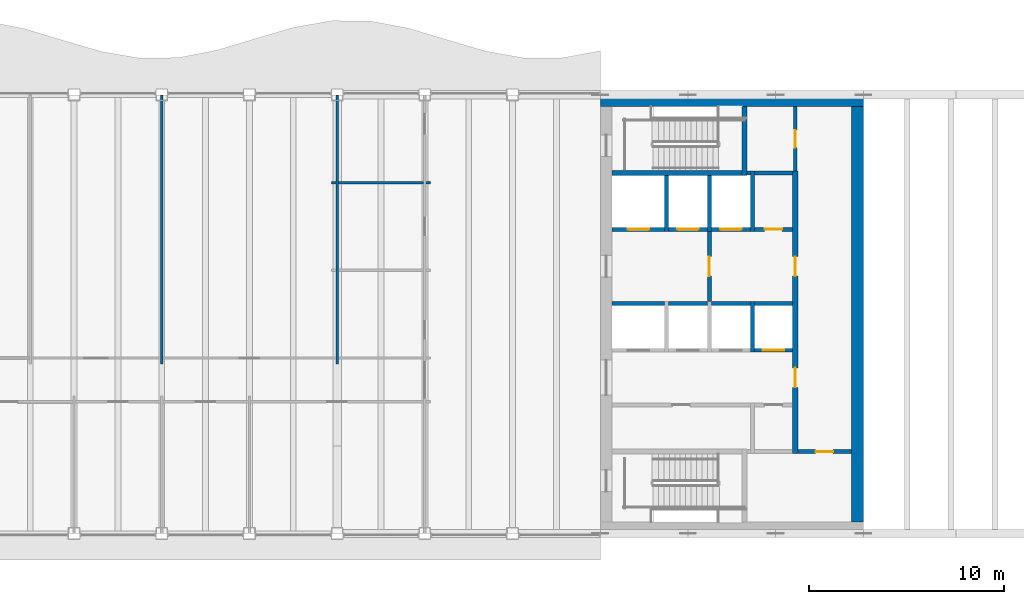
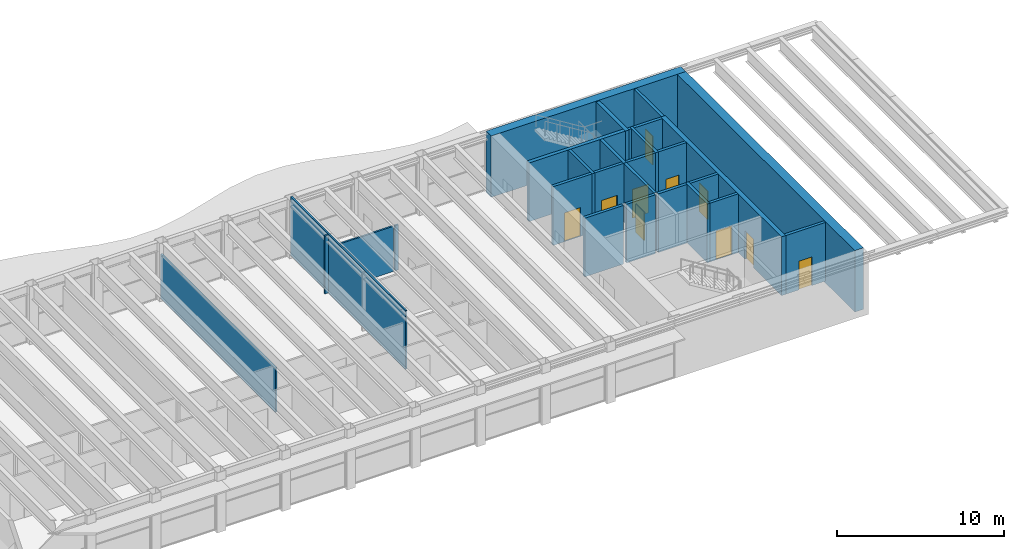
# One storey, part 11 of 15: 28 walls, 10 doors, 10 openings.
"""IFC4 building model written with IfcOpenShell, lengths in metres."""

from ifc_helpers import new_model, si_unit, direction, frame, frame_2d, origin, place, context, subcontext, project, spatial, rectangle, extrude, material, layer, layer_set, type_object, element, fill, save


model = new_model("IFC4")

# Units and contexts
model_context = context("Model", 3, precision=1e-05, world=origin(), true_north=direction((0.0, 1.0)))
body_context = subcontext(model_context, "Body", "Model", "MODEL_VIEW")
ifc_project = project(units=[si_unit("LENGTHUNIT", "METRE"), si_unit("AREAUNIT", "SQUARE_METRE"), si_unit("VOLUMEUNIT", "CUBIC_METRE"), si_unit("PLANEANGLEUNIT", "RADIAN"), si_unit("MASSUNIT", "GRAM", prefix="KILO")], contexts=[model_context])

# Site, building, storey
site_placement = place(None, origin())
site = spatial("IfcSite", under=ifc_project, at=site_placement, CompositionType="ELEMENT")
building_placement = place(site_placement, origin())
building = spatial("IfcBuilding", under=site, at=building_placement, Name="Sennacour Bend Tower", CompositionType="ELEMENT")
storey_placement = place(building_placement, frame((0.0, 0.0, 341.0)))
storey = spatial("IfcBuildingStorey", under=building, at=storey_placement, Name="L78", CompositionType="ELEMENT", Elevation=341.0)

# Walls
ifc_material_1 = material(Name="Concrete C50/60", Category="concrete")
ifc_layer_1 = layer(ifc_material_1, 0.60009765625, Name="Concrete C50/60", Category="concrete")
ifc_layer_set_1 = layer_set([ifc_layer_1], Name="Concrete C50/60")
wall_type_1 = type_object("IfcWallType", Name="Core wall 600 C50/60", PredefinedType="SHEAR", material=ifc_layer_set_1)
wall_1_placement = place(storey_placement, frame((54.0, 22.199951171875, -0.14990234375), z_axis=(0.0, 0.0, 1.0), x_axis=(1.0, 0.0, 0.0)))
element("IfcWall", 1, at=wall_1_placement, inside=storey, type_object=wall_type_1, Name="Core A wall L78 N", PredefinedType="SHEAR", context=body_context, shape_type="SweptSolid", body=[
    extrude(rectangle(XDim=13.5, YDim=0.60009765625, at=frame_2d((6.75, 0.0))), origin(), (0.0, 0.0, 1.0), 4.5),
])
wall_2_placement = place(storey_placement, frame((67.199951171875, 0.60009765625, -0.14990234375), z_axis=(0.0, 0.0, 1.0), x_axis=(0.0, 1.0, 0.0)))
element("IfcWall", 2, at=wall_2_placement, inside=storey, type_object=wall_type_1, Name="Core A wall L78 E", PredefinedType="SHEAR", context=body_context, shape_type="SweptSolid", body=[
    extrude(rectangle(XDim=21.2998046875, YDim=0.60009765625, at=frame_2d((10.64990234375, 0.0))), origin(), (0.0, 0.0, 1.0), 4.5),
])
ifc_material_2 = material(Name="Plasterboard partition on steel studs", Category="steel")
ifc_layer_2 = layer(ifc_material_2, 0.1201171875, Name="Plasterboard partition on steel studs", Category="steel")
ifc_layer_set_2 = layer_set([ifc_layer_2], Name="Plasterboard partition on steel studs")
wall_type_2 = type_object("IfcWallType", Name="Partition 120", PredefinedType="PARTITIONING", material=ifc_layer_set_2)
wall_3_placement = place(storey_placement, frame((31.5, 8.699951171875, 0.0), z_axis=(0.0, 0.0, 1.0), x_axis=(0.0, 1.0, 0.0)))
element("IfcWall", 3, at=wall_3_placement, inside=storey, type_object=wall_type_2, Name="P-L78-W013a", PredefinedType="PARTITIONING", context=body_context, shape_type="SweptSolid", body=[
    extrude(rectangle(XDim=13.7900390625, YDim=0.1201171875, at=frame_2d((6.89501953125, 0.0))), origin(), (0.0, 0.0, 1.0), 3.2587890625),
])
wall_4_placement = place(storey_placement, frame((40.5, 8.699951171875, 0.0), z_axis=(0.0, 0.0, 1.0), x_axis=(0.0, 1.0, 0.0)))
element("IfcWall", 4, at=wall_4_placement, inside=storey, type_object=wall_type_2, Name="P-L78-W015a", PredefinedType="PARTITIONING", context=body_context, shape_type="SweptSolid", body=[
    extrude(rectangle(XDim=13.7900390625, YDim=0.1201171875, at=frame_2d((6.89501953125, 0.0))), origin(), (0.0, 0.0, 1.0), 4.300048828125),
])
wall_5_placement = place(storey_placement, frame((40.199951171875, 18.0, 0.0), z_axis=(0.0, 0.0, 1.0), x_axis=(1.0, 0.0, 0.0)))
element("IfcWall", 5, at=wall_5_placement, inside=storey, type_object=wall_type_2, Name="P-L78-W043aa", PredefinedType="PARTITIONING", context=body_context, shape_type="SweptSolid", body=[
    extrude(rectangle(XDim=0.239990234375, YDim=0.1201171875, at=frame_2d((0.1201171875, 0.0))), origin(), (0.0, 0.0, 1.0), 4.25),
])
wall_6_placement = place(storey_placement, frame((40.56005859375, 18.0, 0.0), z_axis=(0.0, 0.0, 1.0), x_axis=(1.0, 0.0, 0.0)))
element("IfcWall", 6, at=wall_6_placement, inside=storey, type_object=wall_type_2, Name="P-L78-W043ab", PredefinedType="PARTITIONING", context=body_context, shape_type="SweptSolid", body=[
    extrude(rectangle(XDim=4.3798828125, YDim=0.1201171875, at=frame_2d((2.18994140625, 0.0))), origin(), (0.0, 0.0, 1.0), 3.308837890625),
])
wall_7_placement = place(storey_placement, frame((45.06005859375, 18.0, 0.0), z_axis=(0.0, 0.0, 1.0), x_axis=(1.0, 0.0, 0.0)))
element("IfcWall", 7, at=wall_7_placement, inside=storey, type_object=wall_type_2, Name="P-L78-W043ac", PredefinedType="PARTITIONING", context=body_context, shape_type="SweptSolid", body=[
    extrude(rectangle(XDim=0.239990234375, YDim=0.1201171875, at=frame_2d((0.1201171875, 0.0))), origin(), (0.0, 0.0, 1.0), 3.308837890625),
])

# Wall, opening, door
ifc_material_3 = material(Name="Fire-rated plasterboard partition on steel studs", Category="steel")
ifc_layer_3 = layer(ifc_material_3, 0.199951171875, Name="Fire-rated plasterboard partition on steel studs", Category="steel")
ifc_layer_set_3 = layer_set([ifc_layer_3], Name="Fire-rated plasterboard partition on steel studs")
wall_type_3 = type_object("IfcWallType", Name="Rated partition 200", PredefinedType="PARTITIONING", material=ifc_layer_set_3)
wall_8_placement = place(storey_placement, frame((64.0, 18.60009765625, 0.0), z_axis=(0.0, 0.0, 1.0), x_axis=(0.0, 1.0, 0.0)))
wall_8 = element("IfcWall", 8, at=wall_8_placement, inside=storey, type_object=wall_type_3, Name="P-L78-W028", PredefinedType="PARTITIONING", context=body_context, shape_type="SweptSolid", body=[
    extrude(rectangle(XDim=3.2998046875, YDim=0.199951171875, at=frame_2d((1.64990234375, 0.0))), origin(), (0.0, 0.0, 1.0), 4.300048828125),
])
opening_1_placement = place(wall_8_placement, frame((1.199951171875, 0.0, 0.0)))
opening_1 = element("IfcOpeningElement", 9, at=opening_1_placement, cuts=wall_8, Name="Opening SV", PredefinedType="OPENING", context=body_context, shape_type="SweptSolid", body=[
    extrude(rectangle(XDim=0.89990234375, YDim=2.10009765625, at=frame_2d((0.449951171875, 1.050048828125))), frame((0.0, 0.10986328125, 0.0), z_axis=(0.0, -1.0, 0.0), x_axis=(1.0, 0.0, 0.0)), (0.0, 0.0, 1.0), 0.219970703125),
])
ifc_material_4 = material(Name="Painted steel", Category="steel")
door_type_1 = type_object("IfcDoorType", Name="DR-SERVICE-900", OperationType="NOTDEFINED", PredefinedType="DOOR", material=ifc_material_4)
door_1_placement = place(opening_1_placement, origin())
door_1 = element("IfcDoor", 10, at=door_1_placement, inside=storey, type_object=door_type_1, Name="Door", OperationType="SINGLE_SWING_LEFT", OverallHeight=2.10009765625, OverallWidth=0.89990234375, PredefinedType="DOOR", context=body_context, shape_type="SweptSolid", body=[
    extrude(rectangle(XDim=0.89990234375, YDim=2.10009765625, at=frame_2d((0.449951171875, 1.050048828125))), frame((0.0, 0.02490234375, 0.0), z_axis=(0.0, -1.0, 0.0), x_axis=(1.0, 0.0, 0.0)), (0.0, 0.0, 1.0), 0.050048828125),
])
fill(opening_1, door_1)

wall_9_placement = place(storey_placement, frame((64.14990234375, 4.199951171875, 0.0), z_axis=(0.0, 0.0, 1.0), x_axis=(1.0, 0.0, 0.0)))
wall_9 = element("IfcWall", 11, at=wall_9_placement, inside=storey, type_object=wall_type_3, Name="P-L78-W034c", PredefinedType="PARTITIONING", context=body_context, shape_type="SweptSolid", body=[
    extrude(rectangle(XDim=2.75, YDim=0.199951171875, at=frame_2d((1.375, 0.0))), origin(), (0.0, 0.0, 1.0), 4.300048828125),
])
opening_2_placement = place(wall_9_placement, frame((0.900146484375, 0.0, 0.0)))
opening_2 = element("IfcOpeningElement", 12, at=opening_2_placement, cuts=wall_9, Name="Opening SV", PredefinedType="OPENING", context=body_context, shape_type="SweptSolid", body=[
    extrude(rectangle(XDim=0.89990234375, YDim=2.10009765625, at=frame_2d((0.449951171875, 1.050048828125))), frame((0.0, 0.10986328125, 0.0), z_axis=(0.0, -1.0, 0.0), x_axis=(1.0, 0.0, 0.0)), (0.0, 0.0, 1.0), 0.219970703125),
])
door_2_placement = place(opening_2_placement, origin())
door_2 = element("IfcDoor", 13, at=door_2_placement, inside=storey, type_object=door_type_1, Name="Door", OperationType="SINGLE_SWING_LEFT", OverallHeight=2.10009765625, OverallWidth=0.89990234375, PredefinedType="DOOR", context=body_context, shape_type="SweptSolid", body=[
    extrude(rectangle(XDim=0.89990234375, YDim=2.10009765625, at=frame_2d((0.449951171875, 1.050048828125))), frame((0.0, 0.02490234375, 0.0), z_axis=(0.0, -1.0, 0.0), x_axis=(1.0, 0.0, 0.0)), (0.0, 0.0, 1.0), 0.050048828125),
])
fill(opening_2, door_2)

wall_10_placement = place(storey_placement, frame((61.89990234375, 15.60009765625, 0.0), z_axis=(0.0, 0.0, 1.0), x_axis=(1.0, 0.0, 0.0)))
wall_10 = element("IfcWall", 14, at=wall_10_placement, inside=storey, type_object=wall_type_3, Name="P-L78-W042", PredefinedType="PARTITIONING", context=body_context, shape_type="SweptSolid", body=[
    extrude(rectangle(XDim=1.9501953125, YDim=0.199951171875, at=frame_2d((0.97509765625, 0.0))), origin(), (0.0, 0.0, 1.0), 4.300048828125),
])
opening_3_placement = place(wall_10_placement, frame((0.525146484375, 0.0, 0.0)))
opening_3 = element("IfcOpeningElement", 15, at=opening_3_placement, cuts=wall_10, Name="Opening SV", PredefinedType="OPENING", context=body_context, shape_type="SweptSolid", body=[
    extrude(rectangle(XDim=0.89990234375, YDim=2.10009765625, at=frame_2d((0.449951171875, 1.050048828125))), frame((0.0, 0.10986328125, 0.0), z_axis=(0.0, -1.0, 0.0), x_axis=(1.0, 0.0, 0.0)), (0.0, 0.0, 1.0), 0.219970703125),
])
door_3_placement = place(opening_3_placement, origin())
door_3 = element("IfcDoor", 16, at=door_3_placement, inside=storey, type_object=door_type_1, Name="Door", OperationType="SINGLE_SWING_LEFT", OverallHeight=2.10009765625, OverallWidth=0.89990234375, PredefinedType="DOOR", context=body_context, shape_type="SweptSolid", body=[
    extrude(rectangle(XDim=0.89990234375, YDim=2.10009765625, at=frame_2d((0.449951171875, 1.050048828125))), frame((0.0, 0.02490234375, 0.0), z_axis=(0.0, -1.0, 0.0), x_axis=(1.0, 0.0, 0.0)), (0.0, 0.0, 1.0), 0.050048828125),
])
fill(opening_3, door_3)

# Wall
wall_11_placement = place(storey_placement, frame((61.89990234375, 18.5, 0.0), z_axis=(0.0, 0.0, 1.0), x_axis=(1.0, 0.0, 0.0)))
element("IfcWall", 17, at=wall_11_placement, inside=storey, type_object=wall_type_3, Name="P-L78-W046", PredefinedType="PARTITIONING", context=body_context, shape_type="SweptSolid", body=[
    extrude(rectangle(XDim=1.9501953125, YDim=0.199951171875, at=frame_2d((0.97509765625, 0.0))), origin(), (0.0, 0.0, 1.0), 4.300048828125),
])

# Wall, opening, door
ifc_layer_4 = layer(ifc_material_3, 0.199951171875, Name="Fire-rated plasterboard partition on steel studs", Category="steel")
ifc_layer_set_4 = layer_set([ifc_layer_4], Name="Fire-rated plasterboard partition on steel studs")
wall_type_4 = type_object("IfcWallType", Name="Rated partition 200 EI 90", PredefinedType="PARTITIONING", material=ifc_layer_set_4)
wall_12_placement = place(storey_placement, frame((59.60009765625, 11.89990234375, 0.0), z_axis=(0.0, 0.0, 1.0), x_axis=(0.0, 1.0, 0.0)))
wall_12 = element("IfcWall", 18, at=wall_12_placement, inside=storey, type_object=wall_type_4, Name="P-L78-W020", PredefinedType="PARTITIONING", context=body_context, shape_type="SweptSolid", body=[
    extrude(rectangle(XDim=3.60009765625, YDim=0.199951171875, at=frame_2d((1.800048828125, 0.0))), origin(), (0.0, 0.0, 1.0), 4.300048828125),
])
opening_4_placement = place(wall_12_placement, frame((1.300048828125, 0.0, 0.0)))
opening_4 = element("IfcOpeningElement", 19, at=opening_4_placement, cuts=wall_12, Name="Opening FD2", PredefinedType="OPENING", context=body_context, shape_type="SweptSolid", body=[
    extrude(rectangle(XDim=1.0, YDim=2.10009765625, at=frame_2d((0.5, 1.050048828125))), frame((0.0, 0.10986328125, 0.0), z_axis=(0.0, -1.0, 0.0), x_axis=(1.0, 0.0, 0.0)), (0.0, 0.0, 1.0), 0.219970703125),
])
door_type_2 = type_object("IfcDoorType", Name="DR-FFL-1000", OperationType="NOTDEFINED", PredefinedType="DOOR", material=ifc_material_4)
door_4_placement = place(opening_4_placement, origin())
door_4 = element("IfcDoor", 20, at=door_4_placement, inside=storey, type_object=door_type_2, Name="Door", OperationType="SINGLE_SWING_LEFT", OverallHeight=2.10009765625, OverallWidth=1.0, PredefinedType="DOOR", context=body_context, shape_type="SweptSolid", body=[
    extrude(rectangle(XDim=1.0, YDim=2.10009765625, at=frame_2d((0.5, 1.050048828125))), frame((0.0, 0.02490234375, 0.0), z_axis=(0.0, -1.0, 0.0), x_axis=(1.0, 0.0, 0.0)), (0.0, 0.0, 1.0), 0.050048828125),
])
fill(opening_4, door_4)

# Walls
ifc_layer_5 = layer(ifc_material_1, 0.199951171875, Name="Concrete C50/60", Category="concrete")
ifc_layer_set_5 = layer_set([ifc_layer_5], Name="Concrete C50/60")
wall_type_5 = type_object("IfcWallType", Name="Shaft wall 200", PredefinedType="SOLIDWALL", material=ifc_layer_set_5)
for number, where, z_axis, x_axis, name in (
    (21, (57.39990234375, 15.5, 0.0), (0.0, 0.0, 1.0), (0.0, 1.0, 0.0), "P-L78-W018"),
    (22, (59.60009765625, 15.5, 0.0), (0.0, 0.0, 1.0), (0.0, 1.0, 0.0), "P-L78-W021"),
):
    element("IfcWall", number, at=place(storey_placement, frame(where, z_axis=z_axis, x_axis=x_axis)), inside=storey, type_object=wall_type_5, Name=name, PredefinedType="SOLIDWALL", context=body_context, shape_type="SweptSolid", body=[
        extrude(rectangle(XDim=2.875, YDim=0.199951171875, at=frame_2d((1.4375, 0.0))), origin(), (0.0, 0.0, 1.0), 4.300048828125),
    ])
wall_13_placement = place(storey_placement, frame((61.800048828125, 9.300048828125, 0.0), z_axis=(0.0, 0.0, 1.0), x_axis=(0.0, 1.0, 0.0)))
element("IfcWall", 23, at=wall_13_placement, inside=storey, type_object=wall_type_5, Name="P-L78-W025", PredefinedType="SOLIDWALL", context=body_context, shape_type="SweptSolid", body=[
    extrude(rectangle(XDim=2.599853515625, YDim=0.199951171875, at=frame_2d((1.2998046875, 0.0))), origin(), (0.0, 0.0, 1.0), 4.300048828125),
])
wall_14_placement = place(storey_placement, frame((61.800048828125, 15.5, 0.0), z_axis=(0.0, 0.0, 1.0), x_axis=(0.0, 1.0, 0.0)))
element("IfcWall", 24, at=wall_14_placement, inside=storey, type_object=wall_type_5, Name="P-L78-W026", PredefinedType="SOLIDWALL", context=body_context, shape_type="SweptSolid", body=[
    extrude(rectangle(XDim=3.10009765625, YDim=0.199951171875, at=frame_2d((1.550048828125, 0.0))), origin(), (0.0, 0.0, 1.0), 4.300048828125),
])

# Wall, opening, door
wall_15_placement = place(storey_placement, frame((61.89990234375, 9.39990234375, 0.0), z_axis=(0.0, 0.0, 1.0), x_axis=(1.0, 0.0, 0.0)))
wall_15 = element("IfcWall", 25, at=wall_15_placement, inside=storey, type_object=wall_type_5, Name="P-L78-W038d", PredefinedType="SOLIDWALL", context=body_context, shape_type="SweptSolid", body=[
    extrude(rectangle(XDim=1.9501953125, YDim=0.199951171875, at=frame_2d((0.97509765625, 0.0))), origin(), (0.0, 0.0, 1.0), 4.300048828125),
])
opening_5_placement = place(wall_15_placement, frame((0.425048828125, 0.0, 0.011962890625)))
opening_5 = element("IfcOpeningElement", 26, at=opening_5_placement, cuts=wall_15, Name="Opening LD", PredefinedType="OPENING", context=body_context, shape_type="SweptSolid", body=[
    extrude(rectangle(XDim=1.10009765625, YDim=2.10009765625, at=frame_2d((0.550048828125, 1.050048828125))), frame((0.0, 0.10986328125, 0.0), z_axis=(0.0, -1.0, 0.0), x_axis=(1.0, 0.0, 0.0)), (0.0, 0.0, 1.0), 0.219970703125),
])
ifc_material_5 = material(Name="Stainless steel", Category="steel")
door_type_3 = type_object("IfcDoorType", Name="DR-LANDING-1100", OperationType="NOTDEFINED", PredefinedType="DOOR", material=ifc_material_5)
door_5_placement = place(opening_5_placement, origin())
door_5 = element("IfcDoor", 27, at=door_5_placement, inside=storey, type_object=door_type_3, Name="Lift landing door HA4", OperationType="SLIDING_TO_RIGHT", OverallHeight=2.10009765625, OverallWidth=1.10009765625, PredefinedType="DOOR", context=body_context, shape_type="SweptSolid", body=[
    extrude(rectangle(XDim=1.10009765625, YDim=2.10009765625, at=frame_2d((0.550048828125, 1.050048828125))), frame((0.0, 0.02490234375, 0.0), z_axis=(0.0, -1.0, 0.0), x_axis=(1.0, 0.0, 0.0)), (0.0, 0.0, 1.0), 0.050048828125),
])
fill(opening_5, door_5)

# Walls
wall_16_placement = place(storey_placement, frame((54.60009765625, 11.800048828125, 0.0), z_axis=(0.0, 0.0, 1.0), x_axis=(1.0, 0.0, 0.0)))
element("IfcWall", 28, at=wall_16_placement, inside=storey, type_object=wall_type_5, Name="P-L78-W039a", PredefinedType="SOLIDWALL", context=body_context, shape_type="SweptSolid", body=[
    extrude(rectangle(XDim=2.699951171875, YDim=0.199951171875, at=frame_2d((1.35009765625, 0.0))), origin(), (0.0, 0.0, 1.0), 4.300048828125),
])
for number, where, z_axis, x_axis, name in (
    (29, (57.5, 11.800048828125, 0.0), (0.0, 0.0, 1.0), (1.0, 0.0, 0.0), "P-L78-W039b"),
    (30, (59.699951171875, 11.800048828125, 0.0), (0.0, 0.0, 1.0), (1.0, 0.0, 0.0), "P-L78-W039c"),
):
    element("IfcWall", number, at=place(storey_placement, frame(where, z_axis=z_axis, x_axis=x_axis)), inside=storey, type_object=wall_type_5, Name=name, PredefinedType="SOLIDWALL", context=body_context, shape_type="SweptSolid", body=[
        extrude(rectangle(XDim=2.0, YDim=0.199951171875, at=frame_2d((1.0, 0.0))), origin(), (0.0, 0.0, 1.0), 4.300048828125),
    ])
wall_17_placement = place(storey_placement, frame((61.89990234375, 11.800048828125, 0.0), z_axis=(0.0, 0.0, 1.0), x_axis=(1.0, 0.0, 0.0)))
element("IfcWall", 31, at=wall_17_placement, inside=storey, type_object=wall_type_5, Name="P-L78-W039d", PredefinedType="SOLIDWALL", context=body_context, shape_type="SweptSolid", body=[
    extrude(rectangle(XDim=1.9501953125, YDim=0.199951171875, at=frame_2d((0.97509765625, 0.0))), origin(), (0.0, 0.0, 1.0), 4.300048828125),
])

# Wall, opening, door
wall_18_placement = place(storey_placement, frame((54.60009765625, 15.60009765625, 0.0), z_axis=(0.0, 0.0, 1.0), x_axis=(1.0, 0.0, 0.0)))
wall_18 = element("IfcWall", 32, at=wall_18_placement, inside=storey, type_object=wall_type_5, Name="P-L78-W041a", PredefinedType="SOLIDWALL", context=body_context, shape_type="SweptSolid", body=[
    extrude(rectangle(XDim=2.699951171875, YDim=0.199951171875, at=frame_2d((1.35009765625, 0.0))), origin(), (0.0, 0.0, 1.0), 4.300048828125),
])
opening_6_placement = place(wall_18_placement, frame((0.7998046875, 0.0, 0.011962890625)))
opening_6 = element("IfcOpeningElement", 33, at=opening_6_placement, cuts=wall_18, Name="Opening FLD", PredefinedType="OPENING", context=body_context, shape_type="SweptSolid", body=[
    extrude(rectangle(XDim=1.10009765625, YDim=2.10009765625, at=frame_2d((0.550048828125, 1.050048828125))), frame((0.0, 0.10986328125, 0.0), z_axis=(0.0, -1.0, 0.0), x_axis=(1.0, 0.0, 0.0)), (0.0, 0.0, 1.0), 0.219970703125),
])
door_type_4 = type_object("IfcDoorType", Name="DR-FF-LANDING-1100", OperationType="NOTDEFINED", PredefinedType="DOOR", material=ifc_material_5)
door_6_placement = place(opening_6_placement, origin())
door_6 = element("IfcDoor", 34, at=door_6_placement, inside=storey, type_object=door_type_4, Name="Fire service lift landing door FA1", OperationType="SLIDING_TO_LEFT", OverallHeight=2.10009765625, OverallWidth=1.10009765625, PredefinedType="DOOR", context=body_context, shape_type="SweptSolid", body=[
    extrude(rectangle(XDim=1.10009765625, YDim=2.10009765625, at=frame_2d((0.550048828125, 1.050048828125))), frame((0.0, 0.02490234375, 0.0), z_axis=(0.0, -1.0, 0.0), x_axis=(1.0, 0.0, 0.0)), (0.0, 0.0, 1.0), 0.050048828125),
])
fill(opening_6, door_6)

wall_19_placement = place(storey_placement, frame((57.5, 15.60009765625, 0.0), z_axis=(0.0, 0.0, 1.0), x_axis=(1.0, 0.0, 0.0)))
wall_19 = element("IfcWall", 35, at=wall_19_placement, inside=storey, type_object=wall_type_5, Name="P-L78-W041b", PredefinedType="SOLIDWALL", context=body_context, shape_type="SweptSolid", body=[
    extrude(rectangle(XDim=2.0, YDim=0.199951171875, at=frame_2d((1.0, 0.0))), origin(), (0.0, 0.0, 1.0), 4.300048828125),
])
opening_7_placement = place(wall_19_placement, frame((0.449951171875, 0.0, 0.011962890625)))
opening_7 = element("IfcOpeningElement", 36, at=opening_7_placement, cuts=wall_19, Name="Opening FLD", PredefinedType="OPENING", context=body_context, shape_type="SweptSolid", body=[
    extrude(rectangle(XDim=1.10009765625, YDim=2.10009765625, at=frame_2d((0.550048828125, 1.050048828125))), frame((0.0, 0.10986328125, 0.0), z_axis=(0.0, -1.0, 0.0), x_axis=(1.0, 0.0, 0.0)), (0.0, 0.0, 1.0), 0.219970703125),
])
door_7_placement = place(opening_7_placement, origin())
door_7 = element("IfcDoor", 37, at=door_7_placement, inside=storey, type_object=door_type_4, Name="Fire service lift landing door FA2", OperationType="SLIDING_TO_RIGHT", OverallHeight=2.10009765625, OverallWidth=1.10009765625, PredefinedType="DOOR", context=body_context, shape_type="SweptSolid", body=[
    extrude(rectangle(XDim=1.10009765625, YDim=2.10009765625, at=frame_2d((0.550048828125, 1.050048828125))), frame((0.0, 0.02490234375, 0.0), z_axis=(0.0, -1.0, 0.0), x_axis=(1.0, 0.0, 0.0)), (0.0, 0.0, 1.0), 0.050048828125),
])
fill(opening_7, door_7)

wall_20_placement = place(storey_placement, frame((59.699951171875, 15.60009765625, 0.0), z_axis=(0.0, 0.0, 1.0), x_axis=(1.0, 0.0, 0.0)))
wall_20 = element("IfcWall", 38, at=wall_20_placement, inside=storey, type_object=wall_type_5, Name="P-L78-W041c", PredefinedType="SOLIDWALL", context=body_context, shape_type="SweptSolid", body=[
    extrude(rectangle(XDim=2.0, YDim=0.199951171875, at=frame_2d((1.0, 0.0))), origin(), (0.0, 0.0, 1.0), 4.300048828125),
])
opening_8_placement = place(wall_20_placement, frame((0.449951171875, 0.0, 0.011962890625)))
opening_8 = element("IfcOpeningElement", 39, at=opening_8_placement, cuts=wall_20, Name="Opening LD", PredefinedType="OPENING", context=body_context, shape_type="SweptSolid", body=[
    extrude(rectangle(XDim=1.10009765625, YDim=2.10009765625, at=frame_2d((0.550048828125, 1.050048828125))), frame((0.0, 0.10986328125, 0.0), z_axis=(0.0, -1.0, 0.0), x_axis=(1.0, 0.0, 0.0)), (0.0, 0.0, 1.0), 0.219970703125),
])
door_8_placement = place(opening_8_placement, origin())
door_8 = element("IfcDoor", 40, at=door_8_placement, inside=storey, type_object=door_type_3, Name="Lift landing door HA5", OperationType="SLIDING_TO_LEFT", OverallHeight=2.10009765625, OverallWidth=1.10009765625, PredefinedType="DOOR", context=body_context, shape_type="SweptSolid", body=[
    extrude(rectangle(XDim=1.10009765625, YDim=2.10009765625, at=frame_2d((0.550048828125, 1.050048828125))), frame((0.0, 0.02490234375, 0.0), z_axis=(0.0, -1.0, 0.0), x_axis=(1.0, 0.0, 0.0)), (0.0, 0.0, 1.0), 0.050048828125),
])
fill(opening_8, door_8)

# Wall
wall_21_placement = place(storey_placement, frame((61.52490234375, 18.5, 0.0), z_axis=(0.0, 0.0, 1.0), x_axis=(1.0, 0.0, 0.0)))
element("IfcWall", 41, at=wall_21_placement, inside=storey, type_object=wall_type_5, Name="P-L78-W045", PredefinedType="SOLIDWALL", context=body_context, shape_type="SweptSolid", body=[
    extrude(rectangle(XDim=0.175048828125, YDim=0.199951171875, at=frame_2d((0.08740234375, 0.0))), origin(), (0.0, 0.0, 1.0), 4.300048828125),
])

# Wall, openings, doors
ifc_material_6 = material(Name="Concrete C60/75", Category="concrete")
ifc_layer_6 = layer(ifc_material_6, 0.300048828125, Name="Concrete C60/75", Category="concrete")
ifc_layer_set_6 = layer_set([ifc_layer_6], Name="Concrete C60/75")
wall_type_6 = type_object("IfcWallType", Name="Spine wall 300", PredefinedType="SHEAR", material=ifc_layer_set_6)
wall_22_placement = place(storey_placement, frame((64.0, 4.10009765625, 0.0), z_axis=(0.0, 0.0, 1.0), x_axis=(0.0, 1.0, 0.0)))
wall_22 = element("IfcWall", 42, at=wall_22_placement, inside=storey, type_object=wall_type_6, Name="P-L78-W027", PredefinedType="SHEAR", context=body_context, shape_type="SweptSolid", body=[
    extrude(rectangle(XDim=14.5, YDim=0.300048828125, at=frame_2d((7.25, 0.0))), origin(), (0.0, 0.0, 1.0), 4.300048828125),
])
opening_9_placement = place(wall_22_placement, frame((3.39990234375, 0.0, 0.0)))
opening_9 = element("IfcOpeningElement", 43, at=opening_9_placement, cuts=wall_22, Name="Opening CD2", PredefinedType="OPENING", context=body_context, shape_type="SweptSolid", body=[
    extrude(rectangle(XDim=1.0, YDim=2.10009765625, at=frame_2d((0.5, 1.050048828125))), frame((0.0, 0.16015625, 0.0), z_axis=(0.0, -1.0, 0.0), x_axis=(1.0, 0.0, 0.0)), (0.0, 0.0, 1.0), 0.320068359375),
])
opening_10_placement = place(wall_22_placement, frame((9.099853515625, 0.0, 0.0)))
opening_10 = element("IfcOpeningElement", 44, at=opening_10_placement, cuts=wall_22, Name="Opening CD2", PredefinedType="OPENING", context=body_context, shape_type="SweptSolid", body=[
    extrude(rectangle(XDim=1.0, YDim=2.10009765625, at=frame_2d((0.5, 1.050048828125))), frame((0.0, 0.16015625, 0.0), z_axis=(0.0, -1.0, 0.0), x_axis=(1.0, 0.0, 0.0)), (0.0, 0.0, 1.0), 0.320068359375),
])
door_type_5 = type_object("IfcDoorType", Name="DR-LOBBY-1000", OperationType="NOTDEFINED", PredefinedType="DOOR", material=ifc_material_4)
door_9_placement = place(opening_9_placement, origin())
door_9 = element("IfcDoor", 45, at=door_9_placement, inside=storey, type_object=door_type_5, Name="Door", OperationType="SINGLE_SWING_LEFT", OverallHeight=2.10009765625, OverallWidth=1.0, PredefinedType="DOOR", context=body_context, shape_type="SweptSolid", body=[
    extrude(rectangle(XDim=1.0, YDim=2.10009765625, at=frame_2d((0.5, 1.050048828125))), frame((0.0, 0.02490234375, 0.0), z_axis=(0.0, -1.0, 0.0), x_axis=(1.0, 0.0, 0.0)), (0.0, 0.0, 1.0), 0.050048828125),
])
fill(opening_9, door_9)
door_10_placement = place(opening_10_placement, origin())
door_10 = element("IfcDoor", 46, at=door_10_placement, inside=storey, type_object=door_type_5, Name="Door", OperationType="SINGLE_SWING_RIGHT", OverallHeight=2.10009765625, OverallWidth=1.0, PredefinedType="DOOR", context=body_context, shape_type="SweptSolid", body=[
    extrude(rectangle(XDim=1.0, YDim=2.10009765625, at=frame_2d((0.5, 1.050048828125))), frame((0.0, 0.02490234375, 0.0), z_axis=(0.0, -1.0, 0.0), x_axis=(1.0, 0.0, 0.0)), (0.0, 0.0, 1.0), 0.050048828125),
])
fill(opening_10, door_10)

# Walls
ifc_layer_7 = layer(ifc_material_6, 0.25, Name="Concrete C60/75", Category="concrete")
ifc_layer_set_7 = layer_set([ifc_layer_7], Name="Concrete C60/75")
wall_type_7 = type_object("IfcWallType", Name="Stair wall 250", PredefinedType="SHEAR", material=ifc_layer_set_7)
wall_23_placement = place(storey_placement, frame((61.39990234375, 18.375, 0.0), z_axis=(0.0, 0.0, 1.0), x_axis=(0.0, 1.0, 0.0)))
element("IfcWall", 47, at=wall_23_placement, inside=storey, type_object=wall_type_7, Name="P-L78-W023", PredefinedType="SHEAR", context=body_context, shape_type="SweptSolid", body=[
    extrude(rectangle(XDim=3.52490234375, YDim=0.25, at=frame_2d((1.762451171875, 0.0))), origin(), (0.0, 0.0, 1.0), 4.300048828125),
])
wall_24_placement = place(storey_placement, frame((54.60009765625, 18.5, 0.0), z_axis=(0.0, 0.0, 1.0), x_axis=(1.0, 0.0, 0.0)))
element("IfcWall", 48, at=wall_24_placement, inside=storey, type_object=wall_type_7, Name="P-L78-W044", PredefinedType="SHEAR", context=body_context, shape_type="SweptSolid", body=[
    extrude(rectangle(XDim=6.6748046875, YDim=0.25, at=frame_2d((3.33740234375, 0.0))), origin(), (0.0, 0.0, 1.0), 4.300048828125),
])

save(model, "model.ifc")
